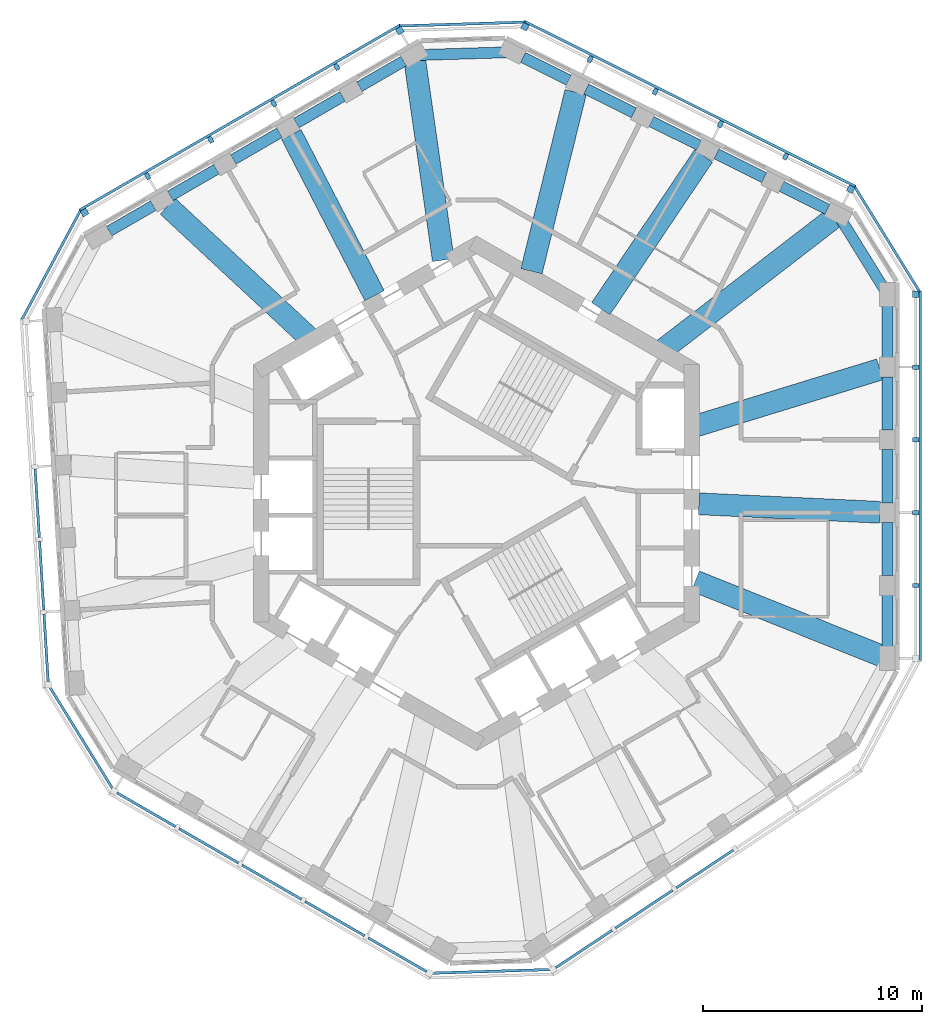
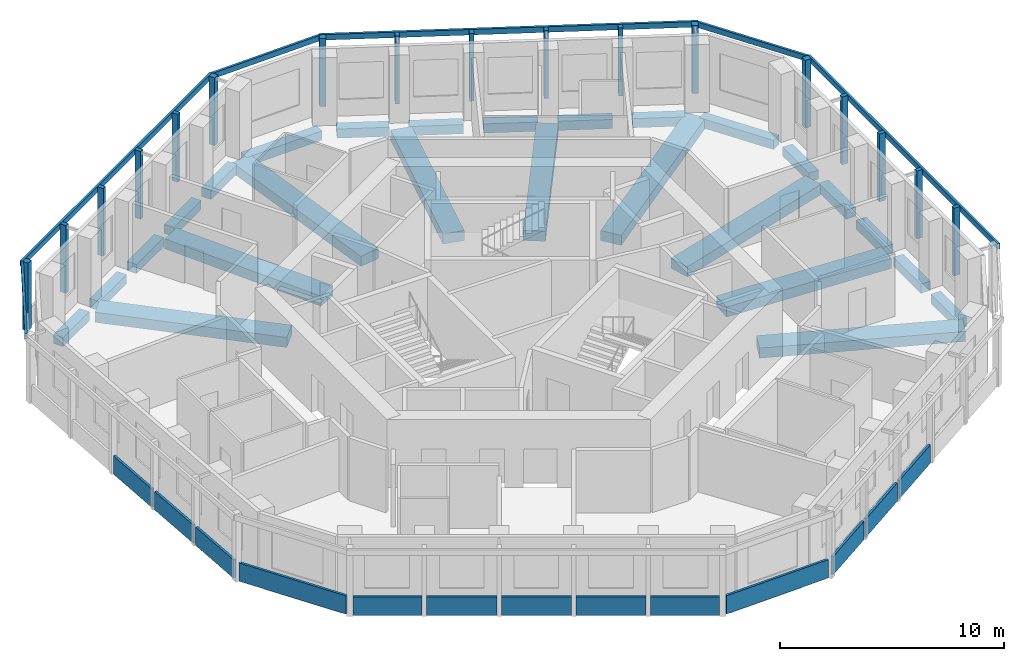
# One storey, part 2 of 11: 26 beams, 23 members, 13 plates, 11 elements without a shape of their own.
"""IFC4 building model written with IfcOpenShell, lengths in metres."""

from ifc_helpers import new_model, si_unit, direction, frame, origin, origin_2d, place, context, subcontext, project, spatial, rectangle, extrude, material, layer, layer_set, material_profile, profile_set, type_object, element, aggregate, save


model = new_model("IFC4")

# Units and contexts
model_context = context("Model", 3, precision=1e-05, world=origin(), true_north=direction((0.0, 1.0)))
body_context = subcontext(model_context, "Body", "Model", "MODEL_VIEW")
ifc_project = project(units=[si_unit("LENGTHUNIT", "METRE"), si_unit("AREAUNIT", "SQUARE_METRE"), si_unit("VOLUMEUNIT", "CUBIC_METRE"), si_unit("PLANEANGLEUNIT", "RADIAN"), si_unit("MASSUNIT", "GRAM", prefix="KILO")], contexts=[model_context])

# Site, building, storey
site_placement = place(None, origin())
site = spatial("IfcSite", under=ifc_project, at=site_placement, CompositionType="ELEMENT")
building_placement = place(site_placement, origin())
building = spatial("IfcBuilding", under=site, at=building_placement, Name="Vanh Sen Convention Tower", CompositionType="ELEMENT")
storey_placement = place(building_placement, frame((0.0, 0.0, 270.89990234375)))
storey = spatial("IfcBuildingStorey", under=building, at=storey_placement, Name="L67", CompositionType="ELEMENT", Elevation=270.89990234375)

# Curtain wall, member
ifc_material_1 = material(Name="Concrete C50/60", Category="concrete")
curtain_wall_type = type_object("IfcCurtainWallType", Name="Outer skin office zone", PredefinedType="NOTDEFINED", material=ifc_material_1)
curtain_wall_1_placement = place(storey_placement, origin())
curtain_wall_1 = element("IfcCurtainWall", 1, at=curtain_wall_1_placement, inside=storey, type_object=curtain_wall_type, Name="OUTER SKIN E L67", PredefinedType="NOTDEFINED")
ifc_material_profile_1 = material_profile(ifc_material_1, rectangle(XDim=0.300048828125, YDim=0.300048828125, at=origin_2d()), Name="Outer skin precast corner fin 300 x 300")
ifc_profile_set_1 = profile_set([ifc_material_profile_1], Name="Concrete C50/60")
member_type_1 = type_object("IfcMemberType", Name="Outer skin precast corner fin 300 x 300", PredefinedType="MULLION", material=ifc_profile_set_1)
member_1_placement = place(storey_placement, frame((20.10009765625, 9.111572265625, 0.0), z_axis=(0.0, 0.0, 1.0), x_axis=(0.0, 1.0, 0.0)))
member_1 = element("IfcMember", 2, at=member_1_placement, type_object=member_type_1, Name="OUTER SKIN CORNER FIN 6 E L67", PredefinedType="MULLION", context=body_context, shape_type="SweptSolid", body=[
    extrude(rectangle(XDim=0.300048828125, YDim=0.300048828125, at=origin_2d()), origin(), (0.0, 0.0, 1.0), 3.7001953125),
])

# Curtain wall, members
curtain_wall_2_placement = place(storey_placement, origin())
curtain_wall_2 = element("IfcCurtainWall", 3, at=curtain_wall_2_placement, inside=storey, type_object=curtain_wall_type, Name="OUTER SKIN NE L67", PredefinedType="NOTDEFINED")
member_2_placement = place(storey_placement, frame((17.122802734375, 13.922607421875, 0.0), z_axis=(0.0, 0.0, 1.0), x_axis=(-0.894934361602, 0.44619781311, 0.0)))
member_2 = element("IfcMember", 4, at=member_2_placement, type_object=member_type_1, Name="OUTER SKIN CORNER FIN 1 NE L67", PredefinedType="MULLION", context=body_context, shape_type="SweptSolid", body=[
    extrude(rectangle(XDim=0.300048828125, YDim=0.300048828125, at=origin_2d()), origin(), (0.0, 0.0, 1.0), 3.7001953125),
])
member_3_placement = place(storey_placement, frame((2.21484375, 21.35546875, 0.0), z_axis=(0.0, 0.0, 1.0), x_axis=(-0.894934361602, 0.44619781311, 0.0)))
member_3 = element("IfcMember", 5, at=member_3_placement, type_object=member_type_1, Name="OUTER SKIN CORNER FIN 6 NE L67", PredefinedType="MULLION", context=body_context, shape_type="SweptSolid", body=[
    extrude(rectangle(XDim=0.300048828125, YDim=0.300048828125, at=origin_2d()), origin(), (0.0, 0.0, 1.0), 3.7001953125),
])

curtain_wall_3_placement = place(storey_placement, origin())
curtain_wall_3 = element("IfcCurtainWall", 6, at=curtain_wall_3_placement, inside=storey, type_object=curtain_wall_type, Name="OUTER SKIN NW L67", PredefinedType="NOTDEFINED")
member_4_placement = place(storey_placement, frame((-3.514404296875, 21.180419921875, 0.0), z_axis=(0.0, 0.0, 1.0), x_axis=(-0.866025403784, -0.5, 0.0)))
member_4 = element("IfcMember", 7, at=member_4_placement, type_object=member_type_1, Name="OUTER SKIN CORNER FIN 1 NW L67", PredefinedType="MULLION", context=body_context, shape_type="SweptSolid", body=[
    extrude(rectangle(XDim=0.300048828125, YDim=0.300048828125, at=origin_2d()), origin(), (0.0, 0.0, 1.0), 3.7001953125),
])
member_5_placement = place(storey_placement, frame((-17.94091796875, 12.851318359375, 0.0), z_axis=(0.0, 0.0, 1.0), x_axis=(-0.866025403784, -0.5, 0.0)))
member_5 = element("IfcMember", 8, at=member_5_placement, type_object=member_type_1, Name="OUTER SKIN CORNER FIN 6 NW L67", PredefinedType="MULLION", context=body_context, shape_type="SweptSolid", body=[
    extrude(rectangle(XDim=0.300048828125, YDim=0.300048828125, at=origin_2d()), origin(), (0.0, 0.0, 1.0), 3.7001953125),
])

# Member
ifc_material_profile_2 = material_profile(ifc_material_1, rectangle(XDim=0.199951171875, YDim=0.300048828125, at=origin_2d()), Name="Outer skin precast fin 200 x 300")
ifc_profile_set_2 = profile_set([ifc_material_profile_2], Name="Concrete C50/60")
member_type_2 = type_object("IfcMemberType", Name="Outer skin precast fin 200 x 300", PredefinedType="MULLION", material=ifc_profile_set_2)
member_6_placement = place(storey_placement, frame((20.10009765625, -4.215087890625, 0.0), z_axis=(0.0, 0.0, 1.0), x_axis=(0.0, 1.0, 0.0)))
member_6 = element("IfcMember", 9, at=member_6_placement, type_object=member_type_2, Name="OUTER SKIN fin 2 E L67", PredefinedType="MULLION", context=body_context, shape_type="SweptSolid", body=[
    extrude(rectangle(XDim=0.199951171875, YDim=0.300048828125, at=origin_2d()), origin(), (0.0, 0.0, 1.0), 3.7001953125),
])

member_7_placement = place(storey_placement, frame((20.10009765625, -0.88330078125, 0.0), z_axis=(0.0, 0.0, 1.0), x_axis=(0.0, 1.0, 0.0)))
member_7 = element("IfcMember", 10, at=member_7_placement, type_object=member_type_2, Name="OUTER SKIN fin 3 E L67", PredefinedType="MULLION", context=body_context, shape_type="SweptSolid", body=[
    extrude(rectangle(XDim=0.199951171875, YDim=0.300048828125, at=origin_2d()), origin(), (0.0, 0.0, 1.0), 3.7001953125),
])

member_8_placement = place(storey_placement, frame((20.10009765625, 2.4482421875, 0.0), z_axis=(0.0, 0.0, 1.0), x_axis=(0.0, 1.0, 0.0)))
member_8 = element("IfcMember", 11, at=member_8_placement, type_object=member_type_2, Name="OUTER SKIN fin 4 E L67", PredefinedType="MULLION", context=body_context, shape_type="SweptSolid", body=[
    extrude(rectangle(XDim=0.199951171875, YDim=0.300048828125, at=origin_2d()), origin(), (0.0, 0.0, 1.0), 3.7001953125),
])

member_9_placement = place(storey_placement, frame((20.10009765625, 5.77978515625, 0.0), z_axis=(0.0, 0.0, 1.0), x_axis=(0.0, 1.0, 0.0)))
member_9 = element("IfcMember", 12, at=member_9_placement, type_object=member_type_2, Name="OUTER SKIN fin 5 E L67", PredefinedType="MULLION", context=body_context, shape_type="SweptSolid", body=[
    extrude(rectangle(XDim=0.199951171875, YDim=0.300048828125, at=origin_2d()), origin(), (0.0, 0.0, 1.0), 3.7001953125),
])

member_10_placement = place(storey_placement, frame((14.14111328125, 15.4091796875, 0.0), z_axis=(0.0, 0.0, 1.0), x_axis=(-0.894934361602, 0.44619781311, 0.0)))
member_10 = element("IfcMember", 13, at=member_10_placement, type_object=member_type_2, Name="OUTER SKIN fin 2 NE L67", PredefinedType="MULLION", context=body_context, shape_type="SweptSolid", body=[
    extrude(rectangle(XDim=0.199951171875, YDim=0.300048828125, at=origin_2d()), origin(), (0.0, 0.0, 1.0), 3.7001953125),
])

member_11_placement = place(storey_placement, frame((11.15966796875, 16.895751953125, 0.0), z_axis=(0.0, 0.0, 1.0), x_axis=(-0.894934361602, 0.44619781311, 0.0)))
member_11 = element("IfcMember", 14, at=member_11_placement, type_object=member_type_2, Name="OUTER SKIN fin 3 NE L67", PredefinedType="MULLION", context=body_context, shape_type="SweptSolid", body=[
    extrude(rectangle(XDim=0.199951171875, YDim=0.300048828125, at=origin_2d()), origin(), (0.0, 0.0, 1.0), 3.7001953125),
])

member_12_placement = place(storey_placement, frame((8.177978515625, 18.38232421875, 0.0), z_axis=(0.0, 0.0, 1.0), x_axis=(-0.894934361602, 0.44619781311, 0.0)))
member_12 = element("IfcMember", 15, at=member_12_placement, type_object=member_type_2, Name="OUTER SKIN fin 4 NE L67", PredefinedType="MULLION", context=body_context, shape_type="SweptSolid", body=[
    extrude(rectangle(XDim=0.199951171875, YDim=0.300048828125, at=origin_2d()), origin(), (0.0, 0.0, 1.0), 3.7001953125),
])

member_13_placement = place(storey_placement, frame((5.1962890625, 19.868896484375, 0.0), z_axis=(0.0, 0.0, 1.0), x_axis=(-0.894934361602, 0.44619781311, 0.0)))
member_13 = element("IfcMember", 16, at=member_13_placement, type_object=member_type_2, Name="OUTER SKIN fin 5 NE L67", PredefinedType="MULLION", context=body_context, shape_type="SweptSolid", body=[
    extrude(rectangle(XDim=0.199951171875, YDim=0.300048828125, at=origin_2d()), origin(), (0.0, 0.0, 1.0), 3.7001953125),
])

member_14_placement = place(storey_placement, frame((-6.399658203125, 19.5146484375, 0.0), z_axis=(0.0, 0.0, 1.0), x_axis=(-0.866025403784, -0.5, 0.0)))
member_14 = element("IfcMember", 17, at=member_14_placement, type_object=member_type_2, Name="OUTER SKIN fin 2 NW L67", PredefinedType="MULLION", context=body_context, shape_type="SweptSolid", body=[
    extrude(rectangle(XDim=0.199951171875, YDim=0.300048828125, at=origin_2d()), origin(), (0.0, 0.0, 1.0), 3.7001953125),
])

member_15_placement = place(storey_placement, frame((-9.284912109375, 17.848876953125, 0.0), z_axis=(0.0, 0.0, 1.0), x_axis=(-0.866025403784, -0.5, 0.0)))
member_15 = element("IfcMember", 18, at=member_15_placement, type_object=member_type_2, Name="OUTER SKIN fin 3 NW L67", PredefinedType="MULLION", context=body_context, shape_type="SweptSolid", body=[
    extrude(rectangle(XDim=0.199951171875, YDim=0.300048828125, at=origin_2d()), origin(), (0.0, 0.0, 1.0), 3.7001953125),
])

member_16_placement = place(storey_placement, frame((-12.170166015625, 16.18310546875, 0.0), z_axis=(0.0, 0.0, 1.0), x_axis=(-0.866025403784, -0.5, 0.0)))
member_16 = element("IfcMember", 19, at=member_16_placement, type_object=member_type_2, Name="OUTER SKIN fin 4 NW L67", PredefinedType="MULLION", context=body_context, shape_type="SweptSolid", body=[
    extrude(rectangle(XDim=0.199951171875, YDim=0.300048828125, at=origin_2d()), origin(), (0.0, 0.0, 1.0), 3.7001953125),
])

member_17_placement = place(storey_placement, frame((-15.055419921875, 14.51708984375, 0.0), z_axis=(0.0, 0.0, 1.0), x_axis=(-0.866025403784, -0.5, 0.0)))
member_17 = element("IfcMember", 20, at=member_17_placement, type_object=member_type_2, Name="OUTER SKIN fin 5 NW L67", PredefinedType="MULLION", context=body_context, shape_type="SweptSolid", body=[
    extrude(rectangle(XDim=0.199951171875, YDim=0.300048828125, at=origin_2d()), origin(), (0.0, 0.0, 1.0), 3.7001953125),
])

ifc_material_profile_3 = material_profile(ifc_material_1, rectangle(XDim=0.1201171875, YDim=0.300048828125, at=origin_2d()), Name="Outer skin precast spandrel band 300 x 120")
ifc_profile_set_3 = profile_set([ifc_material_profile_3], Name="Concrete C50/60")
member_type_3 = type_object("IfcMemberType", Name="Outer skin precast spandrel band 300 x 120", PredefinedType="USERDEFINED", material=ifc_profile_set_3)
member_18_placement = place(storey_placement, frame((20.31005859375, -7.69677734375, 3.550048828125), z_axis=(0.0, 1.0, 0.0), x_axis=(-1.0, 0.0, 0.0)))
member_18 = element("IfcMember", 21, at=member_18_placement, type_object=member_type_3, Name="OUTER SKIN spandrel band E L67", ObjectType="TRANSOM", PredefinedType="USERDEFINED", context=body_context, shape_type="SweptSolid", body=[
    extrude(rectangle(XDim=0.1201171875, YDim=0.300048828125, at=origin_2d()), origin(), (0.0, 0.0, 1.0), 16.958251953125),
])

aggregate(curtain_wall_1, [member_6, member_7, member_8, member_9, member_1, member_18])

# Curtain wall, member
curtain_wall_4_placement = place(storey_placement, origin())
curtain_wall_4 = element("IfcCurtainWall", 22, at=curtain_wall_4_placement, inside=storey, type_object=curtain_wall_type, Name="OUTER SKIN CH1 L67", PredefinedType="NOTDEFINED")
member_19_placement = place(storey_placement, frame((20.278564453125, 9.221923828125, 3.550048828125), z_axis=(-0.52621200061, 0.850353415007, 0.0), x_axis=(-0.850353415007, -0.52621200061, 0.0)))
member_19 = element("IfcMember", 23, at=member_19_placement, type_object=member_type_3, Name="OUTER SKIN spandrel band CH1 L67", ObjectType="TRANSOM", PredefinedType="USERDEFINED", context=body_context, shape_type="SweptSolid", body=[
    extrude(rectangle(XDim=0.1201171875, YDim=0.300048828125, at=origin_2d()), origin(), (0.0, 0.0, 1.0), 5.657958984375),
])
aggregate(curtain_wall_4, [member_19])

# Member
member_20_placement = place(storey_placement, frame((17.3505859375, 14.043701171875, 3.550048828125), z_axis=(-0.894933383827, 0.446199774218, 0.0), x_axis=(-0.446199774218, -0.894933383827, 0.0)))
member_20 = element("IfcMember", 24, at=member_20_placement, type_object=member_type_3, Name="OUTER SKIN spandrel band NE L67", ObjectType="TRANSOM", PredefinedType="USERDEFINED", context=body_context, shape_type="SweptSolid", body=[
    extrude(rectangle(XDim=0.1201171875, YDim=0.300048828125, at=origin_2d()), origin(), (0.0, 0.0, 1.0), 16.9580078125),
])

aggregate(curtain_wall_2, [member_2, member_10, member_11, member_12, member_13, member_3, member_20])

# Curtain wall, member
curtain_wall_5_placement = place(storey_placement, origin())
curtain_wall_5 = element("IfcCurtainWall", 25, at=curtain_wall_5_placement, inside=storey, type_object=curtain_wall_type, Name="OUTER SKIN CH2 L67", PredefinedType="NOTDEFINED")
member_21_placement = place(storey_placement, frame((2.208251953125, 21.5654296875, 3.550048828125), z_axis=(-0.999533527312, -0.030540592307, 0.0), x_axis=(0.030540592307, -0.999533527312, 0.0)))
member_21 = element("IfcMember", 26, at=member_21_placement, type_object=member_type_3, Name="OUTER SKIN spandrel band CH2 L67", ObjectType="TRANSOM", PredefinedType="USERDEFINED", context=body_context, shape_type="SweptSolid", body=[
    extrude(rectangle(XDim=0.1201171875, YDim=0.300048828125, at=origin_2d()), origin(), (0.0, 0.0, 1.0), 5.731689453125),
])
aggregate(curtain_wall_5, [member_21])

# Member
member_22_placement = place(storey_placement, frame((-3.489501953125, 21.4375, 3.550048828125), z_axis=(-0.866022320763, -0.500005339912, 0.0), x_axis=(0.500005339912, -0.866022320763, 0.0)))
member_22 = element("IfcMember", 27, at=member_22_placement, type_object=member_type_3, Name="OUTER SKIN spandrel band NW L67", ObjectType="TRANSOM", PredefinedType="USERDEFINED", context=body_context, shape_type="SweptSolid", body=[
    extrude(rectangle(XDim=0.1201171875, YDim=0.300048828125, at=origin_2d()), origin(), (0.0, 0.0, 1.0), 16.958251953125),
])

aggregate(curtain_wall_3, [member_4, member_14, member_15, member_16, member_17, member_5, member_22])

# Curtain wall, member
curtain_wall_6_placement = place(storey_placement, origin())
curtain_wall_6 = element("IfcCurtainWall", 28, at=curtain_wall_6_placement, inside=storey, type_object=curtain_wall_type, Name="OUTER SKIN CH3 L67", PredefinedType="NOTDEFINED")
member_23_placement = place(storey_placement, frame((-18.125732421875, 12.95068359375, 3.550048828125), z_axis=(-0.473325096028, -0.880887821161, 0.0), x_axis=(0.880887821161, -0.473325096028, 0.0)))
member_23 = element("IfcMember", 29, at=member_23_placement, type_object=member_type_3, Name="OUTER SKIN spandrel band CH3 L67", ObjectType="TRANSOM", PredefinedType="USERDEFINED", context=body_context, shape_type="SweptSolid", body=[
    extrude(rectangle(XDim=0.1201171875, YDim=0.300048828125, at=origin_2d()), origin(), (0.0, 0.0, 1.0), 5.65771484375),
])
aggregate(curtain_wall_6, [member_23])

# Beams
ifc_material_2 = material(Name="Concrete C50/60", Category="concrete")
ifc_material_profile_4 = material_profile(ifc_material_2, rectangle(XDim=1.0, YDim=0.550048828125, at=origin_2d()), Name="RC 1000X550")
ifc_profile_set_4 = profile_set([ifc_material_profile_4], Name="Concrete C50/60")
beam_type_1 = type_object("IfcBeamType", Name="Radial floor beam 1000 x 550", PredefinedType="BEAM", material=ifc_profile_set_4)
beam_1_placement = place(storey_placement, frame((18.640869140625, -7.48291015625, -0.554931640625), z_axis=(-0.928018005696, 0.372535342087, 0.0), x_axis=(-0.372535342087, -0.928018005696, 0.0)))
element("IfcBeam", 30, at=beam_1_placement, inside=storey, type_object=beam_type_1, Name="Radial beam 01 L67", PredefinedType="BEAM", context=body_context, shape_type="SweptSolid", body=[
    extrude(rectangle(XDim=1.0, YDim=0.550048828125, at=origin_2d()), origin(), (0.0, 0.0, 1.0), 9.30126953125),
])
beam_2_placement = place(storey_placement, frame((18.455078125, -0.8671875, -0.554931640625), z_axis=(-0.998898306547, 0.046927318026, 0.0), x_axis=(-0.046927318026, -0.998898306547, 0.0)))
element("IfcBeam", 31, at=beam_2_placement, inside=storey, type_object=beam_type_1, Name="Radial beam 02 L67", PredefinedType="BEAM", context=body_context, shape_type="SweptSolid", body=[
    extrude(rectangle(XDim=1.0, YDim=0.550048828125, at=origin_2d()), origin(), (0.0, 0.0, 1.0), 8.292724609375),
])
beam_3_placement = place(storey_placement, frame((18.454833984375, 5.673828125, -0.554931640625), z_axis=(-0.955847406594, -0.293863463718, 0.0), x_axis=(0.293863463718, -0.955847406594, 0.0)))
element("IfcBeam", 32, at=beam_3_placement, inside=storey, type_object=beam_type_1, Name="Radial beam 03 L67", PredefinedType="BEAM", context=body_context, shape_type="SweptSolid", body=[
    extrude(rectangle(XDim=1.0, YDim=0.550048828125, at=origin_2d()), origin(), (0.0, 0.0, 1.0), 8.794921875),
])
beam_4_placement = place(storey_placement, frame((16.4306640625, 12.672607421875, -0.554931640625), z_axis=(-0.791844751327, -0.610722432695, 0.0), x_axis=(0.610722432695, -0.791844751327, 0.0)))
element("IfcBeam", 33, at=beam_4_placement, inside=storey, type_object=beam_type_1, Name="Radial beam 04 L67", PredefinedType="BEAM", context=body_context, shape_type="SweptSolid", body=[
    extrude(rectangle(XDim=1.0, YDim=0.550048828125, at=origin_2d()), origin(), (0.0, 0.0, 1.0), 9.931640625),
])
beam_5_placement = place(storey_placement, frame((10.38525390625, 15.443603515625, -0.554931640625), z_axis=(-0.558018918526, -0.829828227145, 0.0), x_axis=(0.829828227145, -0.558018918526, 0.0)))
element("IfcBeam", 34, at=beam_5_placement, inside=storey, type_object=beam_type_1, Name="Radial beam 05 L67", PredefinedType="BEAM", context=body_context, shape_type="SweptSolid", body=[
    extrude(rectangle(XDim=1.0, YDim=0.550048828125, at=origin_2d()), origin(), (0.0, 0.0, 1.0), 8.426025390625),
])
beam_6_placement = place(storey_placement, frame((4.531494140625, 18.362060546875, -0.554931640625), z_axis=(-0.239595668833, -0.970872759674, 0.0), x_axis=(0.970872759674, -0.239595668833, 0.0)))
element("IfcBeam", 35, at=beam_6_placement, inside=storey, type_object=beam_type_1, Name="Radial beam 06 L67", PredefinedType="BEAM", context=body_context, shape_type="SweptSolid", body=[
    extrude(rectangle(XDim=1.0, YDim=0.550048828125, at=origin_2d()), origin(), (0.0, 0.0, 1.0), 8.444091796875),
])
beam_7_placement = place(storey_placement, frame((-2.840087890625, 19.885009765625, -0.554931640625), z_axis=(0.141395633576, -0.989953167986, 0.0), x_axis=(0.989953167986, 0.141395633576, 0.0)))
element("IfcBeam", 36, at=beam_7_placement, inside=storey, type_object=beam_type_1, Name="Radial beam 07 L67", PredefinedType="BEAM", context=body_context, shape_type="SweptSolid", body=[
    extrude(rectangle(XDim=1.0, YDim=0.550048828125, at=origin_2d()), origin(), (0.0, 0.0, 1.0), 9.301513671875),
])
beam_8_placement = place(storey_placement, frame((-8.476318359375, 16.416015625, -0.554931640625), z_axis=(0.458787653856, -0.888545940664, 0.0), x_axis=(0.888545940664, 0.458787653856, 0.0)))
element("IfcBeam", 37, at=beam_8_placement, inside=storey, type_object=beam_type_1, Name="Radial beam 08 L67", PredefinedType="BEAM", context=body_context, shape_type="SweptSolid", body=[
    extrude(rectangle(XDim=1.0, YDim=0.550048828125, at=origin_2d()), origin(), (0.0, 0.0, 1.0), 8.29248046875),
])
beam_9_placement = place(storey_placement, frame((-14.14111328125, 13.1455078125, -0.554931640625), z_axis=(0.732424605886, -0.680848145104, 0.0), x_axis=(0.680848145104, 0.732424605886, 0.0)))
element("IfcBeam", 38, at=beam_9_placement, inside=storey, type_object=beam_type_1, Name="Radial beam 09 L67", PredefinedType="BEAM", context=body_context, shape_type="SweptSolid", body=[
    extrude(rectangle(XDim=1.0, YDim=0.550048828125, at=origin_2d()), origin(), (0.0, 0.0, 1.0), 8.794921875),
])
ifc_material_profile_5 = material_profile(ifc_material_2, rectangle(XDim=0.5, YDim=0.5, at=origin_2d()), Name="RC 500X500")
ifc_profile_set_5 = profile_set([ifc_material_profile_5], Name="Concrete C50/60")
beam_type_2 = type_object("IfcBeamType", Name="Spandrel beam 500 x 500", PredefinedType="SPANDREL", material=ifc_profile_set_5)
beam_10_placement = place(storey_placement, frame((18.800048828125, -7.001708984375, -0.52978515625), z_axis=(0.0, 1.0, 0.0), x_axis=(-1.0, 0.0, 0.0)))
element("IfcBeam", 39, at=beam_10_placement, inside=storey, type_object=beam_type_2, Name="Spandrel beam 01 L67", PredefinedType="SPANDREL", context=body_context, shape_type="SweptSolid", body=[
    extrude(rectangle(XDim=0.5, YDim=0.5, at=origin_2d()), origin(), (0.0, 0.0, 1.0), 2.341552734375),
])
for number, where, z_axis, x_axis, name in (
    (40, (18.800048828125, -3.77001953125, -0.52978515625), (0.0, 1.0, 0.0), (-1.0, 0.0, 0.0), "Spandrel beam 02 L67"),
    (41, (18.800048828125, -0.4384765625, -0.52978515625), (0.0, 1.0, 0.0), (-1.0, 0.0, 0.0), "Spandrel beam 03 L67"),
    (42, (18.800048828125, 2.893310546875, -0.52978515625), (0.0, 1.0, 0.0), (-1.0, 0.0, 0.0), "Spandrel beam 04 L67"),
):
    element("IfcBeam", number, at=place(storey_placement, frame(where, z_axis=z_axis, x_axis=x_axis)), inside=storey, type_object=beam_type_2, Name=name, PredefinedType="SPANDREL", context=body_context, shape_type="SweptSolid", body=[
        extrude(rectangle(XDim=0.5, YDim=0.5, at=origin_2d()), origin(), (0.0, 0.0, 1.0), 2.441650390625),
    ])
beam_11_placement = place(storey_placement, frame((18.800048828125, 6.224853515625, -0.52978515625), z_axis=(0.0, 1.0, 0.0), x_axis=(-1.0, 0.0, 0.0)))
element("IfcBeam", 43, at=beam_11_placement, inside=storey, type_object=beam_type_2, Name="Spandrel beam 05 L67", PredefinedType="SPANDREL", context=body_context, shape_type="SweptSolid", body=[
    extrude(rectangle(XDim=0.5, YDim=0.5, at=origin_2d()), origin(), (0.0, 0.0, 1.0), 2.341552734375),
])
beam_12_placement = place(storey_placement, frame((18.665283203125, 9.329345703125, -0.52978515625), z_axis=(-0.526223333812, 0.85034640174, 0.0), x_axis=(-0.85034640174, -0.526223333812, 0.0)))
element("IfcBeam", 44, at=beam_12_placement, inside=storey, type_object=beam_type_2, Name="Spandrel beam 06 L67", PredefinedType="SPANDREL", context=body_context, shape_type="SweptSolid", body=[
    extrude(rectangle(XDim=0.5, YDim=0.5, at=origin_2d()), origin(), (0.0, 0.0, 1.0), 3.777587890625),
])
beam_13_placement = place(storey_placement, frame((16.054931640625, 13.00244140625, -0.52978515625), z_axis=(-0.894947932365, 0.446170593334, 0.0), x_axis=(-0.446170593334, -0.894947932365, 0.0)))
element("IfcBeam", 45, at=beam_13_placement, inside=storey, type_object=beam_type_2, Name="Spandrel beam 07 L67", PredefinedType="SPANDREL", context=body_context, shape_type="SweptSolid", body=[
    extrude(rectangle(XDim=0.5, YDim=0.5, at=origin_2d()), origin(), (0.0, 0.0, 1.0), 2.341552734375),
])
for number, where, z_axis, x_axis, name in (
    (46, (13.162841796875, 14.4443359375, -0.52978515625), (-0.894946555388, 0.446173355323, 0.0), (-0.446173355323, -0.894946555388, 0.0), "Spandrel beam 08 L67"),
    (47, (10.18115234375, 15.930908203125, -0.52978515625), (-0.894906625839, 0.446253438114, 0.0), (-0.446253438114, -0.894906625839, 0.0), "Spandrel beam 09 L67"),
    (48, (7.19970703125, 17.41748046875, -0.52978515625), (-0.894946555388, 0.446173355323, 0.0), (-0.446173355323, -0.894946555388, 0.0), "Spandrel beam 10 L67"),
):
    element("IfcBeam", number, at=place(storey_placement, frame(where, z_axis=z_axis, x_axis=x_axis)), inside=storey, type_object=beam_type_2, Name=name, PredefinedType="SPANDREL", context=body_context, shape_type="SweptSolid", body=[
        extrude(rectangle(XDim=0.5, YDim=0.5, at=origin_2d()), origin(), (0.0, 0.0, 1.0), 2.441650390625),
    ])
beam_14_placement = place(storey_placement, frame((4.218017578125, 18.904052734375, -0.52978515625), z_axis=(-0.894927056226, 0.446212465127, 0.0), x_axis=(-0.446212465127, -0.894927056226, 0.0)))
element("IfcBeam", 49, at=beam_14_placement, inside=storey, type_object=beam_type_2, Name="Spandrel beam 11 L67", PredefinedType="SPANDREL", context=body_context, shape_type="SweptSolid", body=[
    extrude(rectangle(XDim=0.5, YDim=0.5, at=origin_2d()), origin(), (0.0, 0.0, 1.0), 2.341796875),
])
beam_15_placement = place(storey_placement, frame((1.36572265625, 20.183837890625, -0.52978515625), z_axis=(-0.999534883819, -0.03049616417, 0.0), x_axis=(0.03049616417, -0.999534883819, 0.0)))
element("IfcBeam", 50, at=beam_15_placement, inside=storey, type_object=beam_type_2, Name="Spandrel beam 12 L67", PredefinedType="SPANDREL", context=body_context, shape_type="SweptSolid", body=[
    extrude(rectangle(XDim=0.5, YDim=0.5, at=origin_2d()), origin(), (0.0, 0.0, 1.0), 3.962890625),
])
beam_16_placement = place(storey_placement, frame((-3.336181640625, 19.7822265625, -0.52978515625), z_axis=(-0.866027601604, -0.499996193246, 0.0), x_axis=(0.499996193246, -0.866027601604, 0.0)))
element("IfcBeam", 51, at=beam_16_placement, inside=storey, type_object=beam_type_2, Name="Spandrel beam 13 L67", PredefinedType="SPANDREL", context=body_context, shape_type="SweptSolid", body=[
    extrude(rectangle(XDim=0.5, YDim=0.5, at=origin_2d()), origin(), (0.0, 0.0, 1.0), 2.341796875),
])
for number, where, z_axis, x_axis, name in (
    (52, (-6.135009765625, 18.166259765625, -0.52978515625), (-0.866044051031, -0.49996770063, 0.0), (0.49996770063, -0.866044051031, 0.0), "Spandrel beam 14 L67"),
    (53, (-9.020263671875, 16.50048828125, -0.52978515625), (-0.866044051031, -0.49996770063, 0.0), (0.49996770063, -0.866044051031, 0.0), "Spandrel beam 15 L67"),
    (54, (-11.905517578125, 14.834716796875, -0.52978515625), (-0.866000753341, -0.500042693391, 0.0), (0.500042693391, -0.866000753341, 0.0), "Spandrel beam 16 L67"),
):
    element("IfcBeam", number, at=place(storey_placement, frame(where, z_axis=z_axis, x_axis=x_axis)), inside=storey, type_object=beam_type_2, Name=name, PredefinedType="SPANDREL", context=body_context, shape_type="SweptSolid", body=[
        extrude(rectangle(XDim=0.5, YDim=0.5, at=origin_2d()), origin(), (0.0, 0.0, 1.0), 2.441650390625),
    ])
beam_17_placement = place(storey_placement, frame((-14.791015625, 13.168701171875, -0.52978515625), z_axis=(-0.866046683436, -0.499963140751, 0.0), x_axis=(0.499963140751, -0.866046683436, 0.0)))
element("IfcBeam", 55, at=beam_17_placement, inside=storey, type_object=beam_type_2, Name="Spandrel beam 17 L67", PredefinedType="SPANDREL", context=body_context, shape_type="SweptSolid", body=[
    extrude(rectangle(XDim=0.5, YDim=0.5, at=origin_2d()), origin(), (0.0, 0.0, 1.0), 2.341552734375),
])

# Curtain wall, plates
curtain_wall_7_placement = place(storey_placement, origin())
curtain_wall_7 = element("IfcCurtainWall", 56, at=curtain_wall_7_placement, inside=storey, type_object=curtain_wall_type, Name="OUTER SKIN W L67", PredefinedType="NOTDEFINED")
ifc_layer = layer(ifc_material_1, 0.1201171875)
ifc_layer_set = layer_set([ifc_layer], Name="Concrete C50/60")
plate_type = type_object("IfcPlateType", Name="Outer skin precast screen panel 120", PredefinedType="CURTAIN_PANEL", material=ifc_layer_set)
plate_1_placement = place(storey_placement, frame((-20.1103515625, -0.4462890625, 0.0), z_axis=(0.0, 0.0, 1.0), x_axis=(0.061052023682, -0.998134585316, 0.0)))
plate_1 = element("IfcPlate", 57, at=plate_1_placement, type_object=plate_type, Name="OUTER SKIN screen panel W-3", PredefinedType="CURTAIN_PANEL", context=body_context, shape_type="SweptSolid", body=[
    extrude(rectangle(XDim=3.131591796875, YDim=0.1201171875, at=origin_2d()), origin(), (0.0, 0.0, 1.0), 1.0),
])
plate_2_placement = place(storey_placement, frame((-19.906982421875, -3.771484375, 0.0), z_axis=(0.0, 0.0, 1.0), x_axis=(0.061052023682, -0.998134585316, 0.0)))
plate_2 = element("IfcPlate", 58, at=plate_2_placement, type_object=plate_type, Name="OUTER SKIN screen panel W-4", PredefinedType="CURTAIN_PANEL", context=body_context, shape_type="SweptSolid", body=[
    extrude(rectangle(XDim=3.131591796875, YDim=0.1201171875, at=origin_2d()), origin(), (0.0, 0.0, 1.0), 1.0),
])
plate_3_placement = place(storey_placement, frame((-19.705078125, -7.072021484375, 0.0), z_axis=(0.0, 0.0, 1.0), x_axis=(0.061050281609, -0.998134691871, 0.0)))
plate_3 = element("IfcPlate", 59, at=plate_3_placement, type_object=plate_type, Name="OUTER SKIN screen panel W-5", PredefinedType="CURTAIN_PANEL", context=body_context, shape_type="SweptSolid", body=[
    extrude(rectangle(XDim=3.081787109375, YDim=0.1201171875, at=origin_2d()), origin(), (0.0, 0.0, 1.0), 1.0),
])
aggregate(curtain_wall_7, [plate_1, plate_2, plate_3])

# Curtain wall, plate
curtain_wall_8_placement = place(storey_placement, origin())
curtain_wall_8 = element("IfcCurtainWall", 60, at=curtain_wall_8_placement, inside=storey, type_object=curtain_wall_type, Name="OUTER SKIN CH4 L67", PredefinedType="NOTDEFINED")
plate_4_placement = place(storey_placement, frame((-18.09375, -11.19677734375, 0.0), z_axis=(0.0, 0.0, 1.0), x_axis=(0.526210955359, -0.850354061823, 0.0)))
plate_4 = element("IfcPlate", 61, at=plate_4_placement, type_object=plate_type, Name="OUTER SKIN screen panel CH4-1", PredefinedType="CURTAIN_PANEL", context=body_context, shape_type="SweptSolid", body=[
    extrude(rectangle(XDim=5.431640625, YDim=0.1201171875, at=origin_2d()), origin(), (0.0, 0.0, 1.0), 1.0),
])
aggregate(curtain_wall_8, [plate_4])

# Curtain wall, plates
curtain_wall_9_placement = place(storey_placement, origin())
curtain_wall_9 = element("IfcCurtainWall", 62, at=curtain_wall_9_placement, inside=storey, type_object=curtain_wall_type, Name="OUTER SKIN SW L67", PredefinedType="NOTDEFINED")
plate_5_placement = place(storey_placement, frame((-15.121337890625, -14.47900390625, 0.0), z_axis=(0.0, 0.0, 1.0), x_axis=(0.866028894422, -0.49999395399, 0.0)))
plate_5 = element("IfcPlate", 63, at=plate_5_placement, type_object=plate_type, Name="OUTER SKIN screen panel SW-1", PredefinedType="CURTAIN_PANEL", context=body_context, shape_type="SweptSolid", body=[
    extrude(rectangle(XDim=3.08154296875, YDim=0.1201171875, at=origin_2d()), origin(), (0.0, 0.0, 1.0), 1.0),
])
plate_6_placement = place(storey_placement, frame((-12.2578125, -16.132568359375, 0.0), z_axis=(0.0, 0.0, 1.0), x_axis=(0.866015804314, -0.500016626402, 0.0)))
plate_6 = element("IfcPlate", 64, at=plate_6_placement, type_object=plate_type, Name="OUTER SKIN screen panel SW-2", PredefinedType="CURTAIN_PANEL", context=body_context, shape_type="SweptSolid", body=[
    extrude(rectangle(XDim=3.131591796875, YDim=0.1201171875, at=origin_2d()), origin(), (0.0, 0.0, 1.0), 1.0),
])
plate_7_placement = place(storey_placement, frame((-9.37255859375, -17.79833984375, 0.0), z_axis=(0.0, 0.0, 1.0), x_axis=(0.866028894422, -0.49999395399, 0.0)))
plate_7 = element("IfcPlate", 65, at=plate_7_placement, type_object=plate_type, Name="OUTER SKIN screen panel SW-3", PredefinedType="CURTAIN_PANEL", context=body_context, shape_type="SweptSolid", body=[
    extrude(rectangle(XDim=3.131591796875, YDim=0.1201171875, at=origin_2d()), origin(), (0.0, 0.0, 1.0), 1.0),
])
plate_8_placement = place(storey_placement, frame((-6.487060546875, -19.464111328125, 0.0), z_axis=(0.0, 0.0, 1.0), x_axis=(0.866028894422, -0.49999395399, 0.0)))
plate_8 = element("IfcPlate", 66, at=plate_8_placement, type_object=plate_type, Name="OUTER SKIN screen panel SW-4", PredefinedType="CURTAIN_PANEL", context=body_context, shape_type="SweptSolid", body=[
    extrude(rectangle(XDim=3.131591796875, YDim=0.1201171875, at=origin_2d()), origin(), (0.0, 0.0, 1.0), 1.0),
])
plate_9_placement = place(storey_placement, frame((-3.62353515625, -21.117431640625, 0.0), z_axis=(0.0, 0.0, 1.0), x_axis=(0.866028894422, -0.49999395399, 0.0)))
plate_9 = element("IfcPlate", 67, at=plate_9_placement, type_object=plate_type, Name="OUTER SKIN screen panel SW-5", PredefinedType="CURTAIN_PANEL", context=body_context, shape_type="SweptSolid", body=[
    extrude(rectangle(XDim=3.08154296875, YDim=0.1201171875, at=origin_2d()), origin(), (0.0, 0.0, 1.0), 1.0),
])
aggregate(curtain_wall_9, [plate_5, plate_6, plate_7, plate_8, plate_9])

# Curtain wall, plate
curtain_wall_10_placement = place(storey_placement, origin())
curtain_wall_10 = element("IfcCurtainWall", 68, at=curtain_wall_10_placement, inside=storey, type_object=curtain_wall_type, Name="OUTER SKIN CH5 L67", PredefinedType="NOTDEFINED")
plate_10_placement = place(storey_placement, frame((0.66845703125, -21.87646484375, 0.0), z_axis=(0.0, 0.0, 1.0), x_axis=(0.999533590837, 0.03053851321, 0.0)))
plate_10 = element("IfcPlate", 69, at=plate_10_placement, type_object=plate_type, Name="OUTER SKIN screen panel CH5-1", PredefinedType="CURTAIN_PANEL", context=body_context, shape_type="SweptSolid", body=[
    extrude(rectangle(XDim=5.35791015625, YDim=0.1201171875, at=origin_2d()), origin(), (0.0, 0.0, 1.0), 1.0),
])
aggregate(curtain_wall_10, [plate_10])

# Curtain wall, plates
curtain_wall_11_placement = place(storey_placement, origin())
curtain_wall_11 = element("IfcCurtainWall", 70, at=curtain_wall_11_placement, inside=storey, type_object=curtain_wall_type, Name="OUTER SKIN SE L67", PredefinedType="NOTDEFINED")
plate_11_placement = place(storey_placement, frame((4.906005859375, -20.85693359375, 0.0), z_axis=(0.0, 0.0, 1.0), x_axis=(0.833902198, 0.551912243179, 0.0)))
plate_11 = element("IfcPlate", 71, at=plate_11_placement, type_object=plate_type, Name="OUTER SKIN screen panel SE-1", PredefinedType="CURTAIN_PANEL", context=body_context, shape_type="SweptSolid", body=[
    extrude(rectangle(XDim=3.081787109375, YDim=0.1201171875, at=origin_2d()), origin(), (0.0, 0.0, 1.0), 1.0),
])
plate_12_placement = place(storey_placement, frame((7.663330078125, -19.03173828125, 0.0), z_axis=(0.0, 0.0, 1.0), x_axis=(0.833879078823, 0.551947173108, 0.0)))
plate_12 = element("IfcPlate", 72, at=plate_12_placement, type_object=plate_type, Name="OUTER SKIN screen panel SE-2", PredefinedType="CURTAIN_PANEL", context=body_context, shape_type="SweptSolid", body=[
    extrude(rectangle(XDim=3.131591796875, YDim=0.1201171875, at=origin_2d()), origin(), (0.0, 0.0, 1.0), 1.0),
])
plate_13_placement = place(storey_placement, frame((10.44140625, -17.193115234375, 0.0), z_axis=(0.0, 0.0, 1.0), x_axis=(0.833892565187, 0.551926797434, 0.0)))
plate_13 = element("IfcPlate", 73, at=plate_13_placement, type_object=plate_type, Name="OUTER SKIN screen panel SE-3", PredefinedType="CURTAIN_PANEL", context=body_context, shape_type="SweptSolid", body=[
    extrude(rectangle(XDim=3.131591796875, YDim=0.1201171875, at=origin_2d()), origin(), (0.0, 0.0, 1.0), 1.0),
])
aggregate(curtain_wall_11, [plate_11, plate_12, plate_13])

save(model, "model.ifc")
